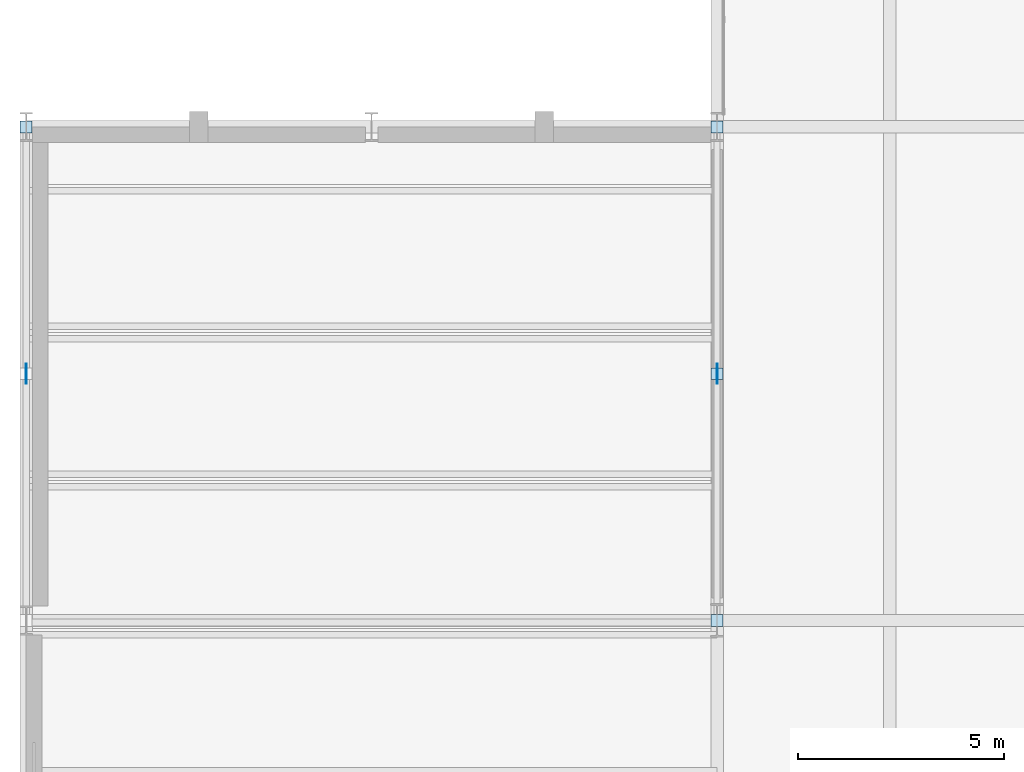
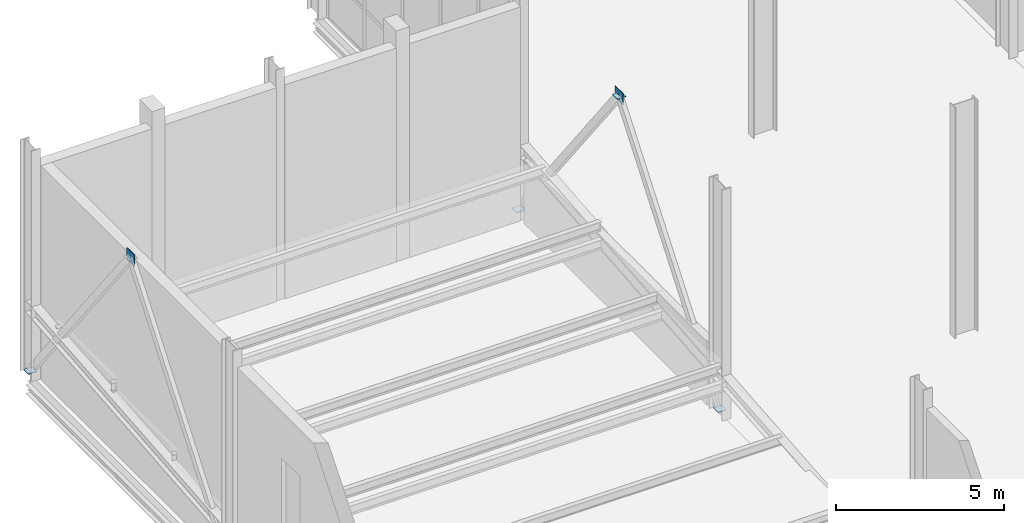
# One storey, part 110 of 131: 6 plates.
"""IFC4 building model written with IfcOpenShell, lengths in metres."""

from ifc_helpers import new_model, si_unit, direction, frame, origin, origin_2d, place, context, subcontext, project, spatial, rectangle, extrude, material, layer, layer_set, type_object, element, save


model = new_model("IFC4")

# Units and contexts
model_context = context("Model", 3, precision=1e-05, world=origin(), true_north=direction((0.0, 1.0)))
body_context = subcontext(model_context, "Body", "Model", "MODEL_VIEW")
ifc_project = project(units=[si_unit("LENGTHUNIT", "METRE"), si_unit("AREAUNIT", "SQUARE_METRE"), si_unit("VOLUMEUNIT", "CUBIC_METRE"), si_unit("PLANEANGLEUNIT", "RADIAN"), si_unit("MASSUNIT", "GRAM", prefix="KILO")], contexts=[model_context])

# Site, building, storey
site_placement = place(None, origin())
site = spatial("IfcSite", under=ifc_project, at=site_placement, CompositionType="ELEMENT")
building_placement = place(site_placement, origin())
building = spatial("IfcBuilding", under=site, at=building_placement, Name="Veltarok Museum of Natural Sciences", CompositionType="ELEMENT")
storey_placement = place(building_placement, origin())
storey = spatial("IfcBuildingStorey", under=building, at=storey_placement, Name="L00", CompositionType="ELEMENT", Elevation=0.0)

# Plates
ifc_material = material(Name="Steel S355J2", Category="steel")
ifc_layer_1 = layer(ifc_material, 0.02001953125)
ifc_layer_set_1 = layer_set([ifc_layer_1], Name="Steel S355J2")
plate_type_1 = type_object("IfcPlateType", Name="Hollow End Closure Plate D290x20", PredefinedType="USERDEFINED", material=ifc_layer_set_1)
for number, where, z_axis, x_axis, name in (
    (1, (6.39990234375, 59.99755859375, 0.14306640625), (0.0, 0.0, 1.0), (0.0, 1.0, 0.0), "End Cap Plate CP-273 434"),
    (2, (23.199951171875, 48.00244140625, 0.14306640625), (0.0, 0.0, 1.0), (0.0, 1.0, 0.0), "End Cap Plate CP-273 438"),
    (3, (23.199951171875, 53.99755859375, 7.90673828125), (0.0, 0.0, 1.0), (0.0, 1.0, 0.0), "End Cap Plate CP-273 439"),
    (4, (23.199951171875, 59.99755859375, 0.14306640625), (0.0, 0.0, 1.0), (0.0, 1.0, 0.0), "End Cap Plate CP-273 440"),
):
    element("IfcPlate", number, at=place(storey_placement, frame(where, z_axis=z_axis, x_axis=x_axis)), inside=storey, type_object=plate_type_1, Name=name, ObjectType="END CAP PLATE", PredefinedType="USERDEFINED", context=body_context, shape_type="SweptSolid", body=[
        extrude(rectangle(XDim=0.2900390625, YDim=0.2900390625, at=origin_2d()), origin(), (0.0, 0.0, 1.0), 0.02001953125),
    ])
ifc_layer_2 = layer(ifc_material, 0.02001953125)
ifc_layer_set_2 = layer_set([ifc_layer_2], Name="Steel S355J2")
plate_type_2 = type_object("IfcPlateType", Name="Lateral Brace Gusset Node Plate BN1", PredefinedType="USERDEFINED", material=ifc_layer_set_2)
for number, where, z_axis, x_axis, name in (
    (5, (6.39990234375, 54.0, 7.7099609375), (0.0, 0.0, 1.0), (1.0, 0.0, 0.0), "Lateral Brace Apex Node BN1 23"),
    (6, (23.199951171875, 54.0, 7.7099609375), (0.0, 0.0, 1.0), (1.0, 0.0, 0.0), "Lateral Brace Apex Node BN1 25"),
):
    element("IfcPlate", number, at=place(storey_placement, frame(where, z_axis=z_axis, x_axis=x_axis)), inside=storey, type_object=plate_type_2, Name=name, ObjectType="GUSSET PLATE", PredefinedType="USERDEFINED", context=body_context, shape_type="SweptSolid", body=[
        extrude(rectangle(XDim=0.02001953125, YDim=0.47998046875, at=origin_2d()), origin(), (0.0, 0.0, 1.0), 0.419921875),
    ])

save(model, "model.ifc")
